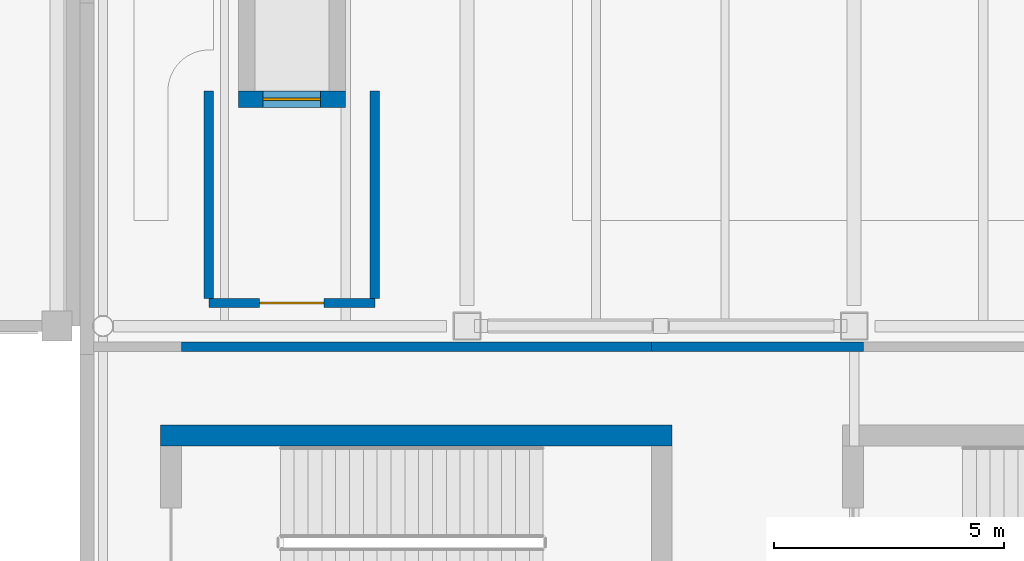
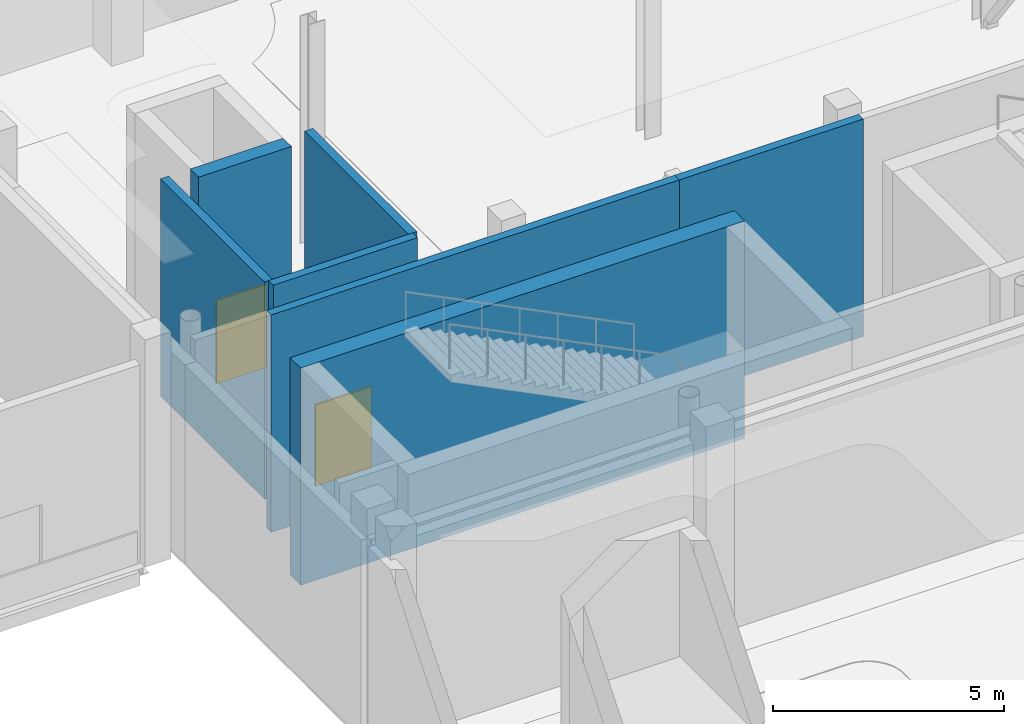
# One storey, part 47 of 85: 7 walls, 2 doors, 2 openings.
"""IFC4 building model written with IfcOpenShell, lengths in metres."""

from ifc_helpers import new_model, si_unit, direction, frame, frame_2d, origin, place, context, subcontext, project, spatial, rectangle, extrude, material, layer, layer_set, type_object, element, fill, save


model = new_model("IFC4")

# Units and contexts
model_context = context("Model", 3, precision=1e-05, world=origin(), true_north=direction((0.0, 1.0)))
body_context = subcontext(model_context, "Body", "Model", "MODEL_VIEW")
ifc_project = project(units=[si_unit("LENGTHUNIT", "METRE"), si_unit("AREAUNIT", "SQUARE_METRE"), si_unit("VOLUMEUNIT", "CUBIC_METRE"), si_unit("PLANEANGLEUNIT", "RADIAN"), si_unit("MASSUNIT", "GRAM", prefix="KILO"), si_unit("THERMODYNAMICTEMPERATUREUNIT", "KELVIN")], contexts=[model_context])

# Site, building, storey
site_placement = place(None, origin())
site = spatial("IfcSite", under=ifc_project, at=site_placement, CompositionType="ELEMENT")
building_placement = place(site_placement, origin())
building = spatial("IfcBuilding", under=site, at=building_placement, Name="Lustrewick Department Store", CompositionType="ELEMENT")
storey_placement = place(building_placement, origin())
storey = spatial("IfcBuildingStorey", under=building, at=storey_placement, Name="L01", CompositionType="ELEMENT", Elevation=0.0)

# Wall, opening, door
ifc_material_1 = material(Name="Autoclaved aerated concrete blockwork and fire board", Category="masonry")
ifc_layer_1 = layer(ifc_material_1, 0.205078125, Name="Autoclaved aerated concrete blockwork and fire board")
ifc_layer_set_1 = layer_set([ifc_layer_1], Name="Autoclaved aerated concrete blockwork and fire board")
wall_type_1 = type_object("IfcWallType", Name="PW02", PredefinedType="PARTITIONING", material=ifc_layer_set_1)
wall_1_placement = place(storey_placement, frame((112.0, 59.300048828125, 0.0), z_axis=(0.0, 0.0, 1.0), x_axis=(1.0, 0.0, 0.0)))
wall_1 = element("IfcWall", 1, at=wall_1_placement, inside=storey, type_object=wall_type_1, Name="L01 Firefighting Lift Lobby FFL-04 PW02", PredefinedType="PARTITIONING", context=body_context, shape_type="SweptSolid", body=[
    extrude(rectangle(XDim=3.60009765625, YDim=0.205078125, at=frame_2d((1.800048828125, 0.0))), origin(), (0.0, 0.0, 1.0), 5.7451171875),
])
opening_1_placement = place(wall_1_placement, frame((1.10009765625, 0.0, 0.0)))
opening_1 = element("IfcOpeningElement", 2, at=opening_1_placement, cuts=wall_1, Name="Opening D-L01-061", PredefinedType="OPENING", context=body_context, shape_type="SweptSolid", body=[
    extrude(rectangle(XDim=1.39990234375, YDim=2.14990234375, at=frame_2d((0.699951171875, 1.074951171875))), frame((0.0, 0.112548828125, 0.0), z_axis=(0.0, -1.0, 0.0), x_axis=(1.0, 0.0, 0.0)), (0.0, 0.0, 1.0), 0.22509765625),
])
ifc_material_2 = material(Name="Steel fire door Class B EI 60", Category="steel")
door_type_1 = type_object("IfcDoorType", Name="DT-08", OperationType="NOTDEFINED", PredefinedType="DOOR", material=ifc_material_2)
door_1_placement = place(opening_1_placement, origin())
door_1 = element("IfcDoor", 3, at=door_1_placement, inside=storey, type_object=door_type_1, Name="L01 Firefighting Lift Lobby FFL-04 Door D-L01-061", OperationType="SINGLE_SWING_RIGHT", OverallHeight=2.14990234375, OverallWidth=1.39990234375, PredefinedType="DOOR", context=body_context, shape_type="SweptSolid", body=[
    extrude(rectangle(XDim=1.39990234375, YDim=2.14990234375, at=frame_2d((0.699951171875, 1.074951171875))), frame((0.0, 0.02490234375, 0.0), z_axis=(0.0, -1.0, 0.0), x_axis=(1.0, 0.0, 0.0)), (0.0, 0.0, 1.0), 0.050048828125),
])
fill(opening_1, door_1)

# Walls
for number, where, z_axis, x_axis, name in (
    (4, (115.60009765625, 59.3974609375, 0.0), (0.0, 0.0, 1.0), (0.0, 1.0, 0.0), "L01 Firefighting Lift Lobby FFL-04 PW02"),
    (5, (112.0, 63.89990234375, 0.0), (0.0, 0.0, 1.0), (0.0, -1.0, 0.0), "L01 Firefighting Lift Lobby FFL-04 PW02"),
):
    element("IfcWall", number, at=place(storey_placement, frame(where, z_axis=z_axis, x_axis=x_axis)), inside=storey, type_object=wall_type_1, Name=name, PredefinedType="PARTITIONING", context=body_context, shape_type="SweptSolid", body=[
        extrude(rectangle(XDim=4.50244140625, YDim=0.205078125, at=frame_2d((2.251220703125, 0.0))), origin(), (0.0, 0.0, 1.0), 5.7451171875),
    ])
wall_2_placement = place(storey_placement, frame((126.199951171875, 58.35009765625, 0.0), z_axis=(0.0, 0.0, 1.0), x_axis=(-1.0, 0.0, 0.0)))
element("IfcWall", 6, at=wall_2_placement, inside=storey, type_object=wall_type_1, Name="L01 Protected Exit Passageway ST09-ST11 PW02", PredefinedType="PARTITIONING", context=body_context, shape_type="SweptSolid", body=[
    extrude(rectangle(XDim=4.599853515625, YDim=0.205078125, at=frame_2d((2.2998046875, 0.0))), origin(), (0.0, 0.0, 1.0), 5.7451171875),
])
wall_3_placement = place(storey_placement, frame((121.60009765625, 58.35009765625, 0.0), z_axis=(0.0, 0.0, 1.0), x_axis=(-1.0, 0.0, 0.0)))
element("IfcWall", 7, at=wall_3_placement, inside=storey, type_object=wall_type_1, Name="L01 Protected Exit Passageway ST09-ST11 PW02", PredefinedType="PARTITIONING", context=body_context, shape_type="SweptSolid", body=[
    extrude(rectangle(XDim=10.2001953125, YDim=0.205078125, at=frame_2d((5.10009765625, 0.0))), origin(), (0.0, 0.0, 1.0), 5.7451171875),
])
ifc_material_3 = material(Name="Concrete C50", Category="concrete")
ifc_layer_2 = layer(ifc_material_3, 0.449951171875, Name="Concrete C50")
ifc_layer_set_2 = layer_set([ifc_layer_2], Name="Concrete C50")
wall_type_2 = type_object("IfcWallType", Name="SW01", PredefinedType="SHEAR", material=ifc_layer_set_2)
wall_4_placement = place(storey_placement, frame((122.050048828125, 56.425048828125, 0.0), z_axis=(0.0, 0.0, 1.0), x_axis=(-1.0, 0.0, 0.0)))
element("IfcWall", 8, at=wall_4_placement, inside=storey, type_object=wall_type_2, Name="L01 Stair Core ST09 Shear Wall N", PredefinedType="SHEAR", context=body_context, shape_type="SweptSolid", body=[
    extrude(rectangle(XDim=11.10009765625, YDim=0.449951171875, at=frame_2d((5.550048828125, 0.0))), origin(), (0.0, 0.0, 1.0), 5.7451171875),
])

# Wall, opening, door
ifc_material_4 = material(Name="Concrete C40", Category="concrete")
ifc_layer_3 = layer(ifc_material_4, 0.360107421875, Name="Concrete C40")
ifc_layer_set_3 = layer_set([ifc_layer_3], Name="Concrete C40")
wall_type_3 = type_object("IfcWallType", Name="SW04", PredefinedType="SHEAR", material=ifc_layer_set_3)
wall_5_placement = place(storey_placement, frame((112.639892578125, 63.719970703125, 0.0), z_axis=(0.0, 0.0, 1.0), x_axis=(1.0, 0.0, 0.0)))
wall_5 = element("IfcWall", 9, at=wall_5_placement, inside=storey, type_object=wall_type_3, Name="L01 Lift FFL-04 Shaft Wall -Y", PredefinedType="SHEAR", context=body_context, shape_type="SweptSolid", body=[
    extrude(rectangle(XDim=2.320068359375, YDim=0.360107421875, at=frame_2d((1.16015625, 0.0))), origin(), (0.0, 0.0, 1.0), 5.7451171875),
])
opening_2_placement = place(wall_5_placement, frame((0.534912109375, 0.0, 0.0)))
opening_2 = element("IfcOpeningElement", 10, at=opening_2_placement, cuts=wall_5, Name="Opening LD-L01-04", PredefinedType="OPENING", context=body_context, shape_type="SweptSolid", body=[
    extrude(rectangle(XDim=1.25, YDim=2.199951171875, at=frame_2d((0.625, 1.10009765625))), frame((0.0, 0.18994140625, 0.0), z_axis=(0.0, -1.0, 0.0), x_axis=(1.0, 0.0, 0.0)), (0.0, 0.0, 1.0), 0.380126953125),
])
ifc_material_5 = material(Name="Stainless steel firefighting lift landing door EI 90", Category="steel")
door_type_2 = type_object("IfcDoorType", Name="DT-15", OperationType="NOTDEFINED", PredefinedType="DOOR", material=ifc_material_5)
door_2_placement = place(opening_2_placement, frame((1.25, 0.0, 0.0), z_axis=(0.0, 0.0, 1.0), x_axis=(-1.0, 0.0, 0.0)))
door_2 = element("IfcDoor", 11, at=door_2_placement, inside=storey, type_object=door_type_2, Name="L01 Lift FFL-04 Sliding Landing Door LD-L01-04", OperationType="DOUBLE_DOOR_SLIDING", OverallHeight=2.199951171875, OverallWidth=1.25, PredefinedType="DOOR", context=body_context, shape_type="SweptSolid", body=[
    extrude(rectangle(XDim=1.25, YDim=2.199951171875, at=frame_2d((0.625, 1.10009765625))), frame((0.0, 0.02490234375, 0.0), z_axis=(0.0, -1.0, 0.0), x_axis=(1.0, 0.0, 0.0)), (0.0, 0.0, 1.0), 0.050048828125),
])
fill(opening_2, door_2)

save(model, "model.ifc")
